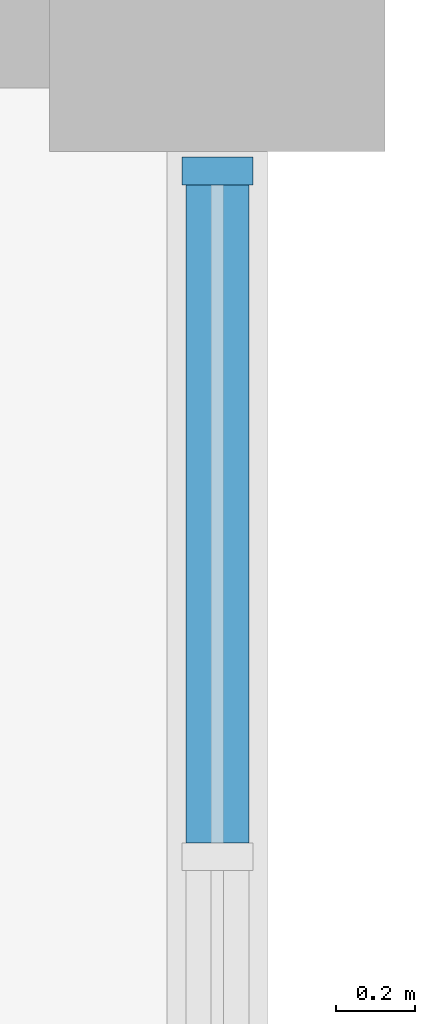
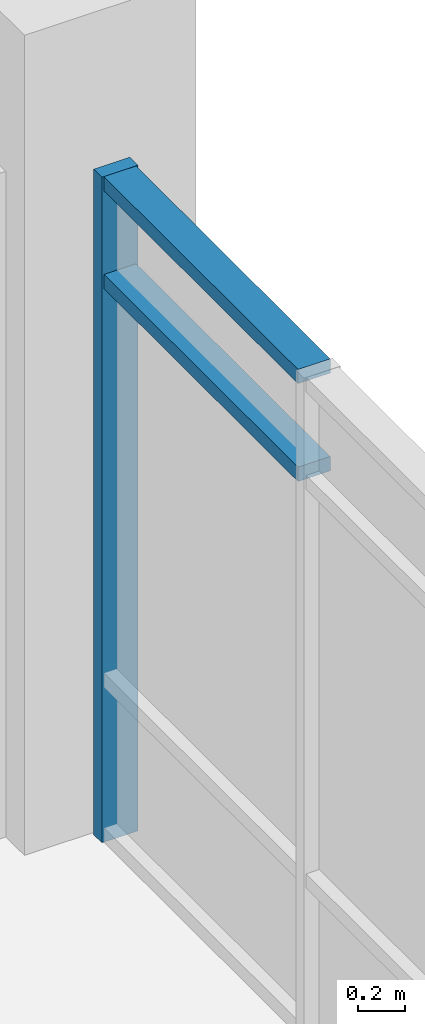
# One storey, part 32 of 86: 3 members, 1 element without a shape of its own.
"""IFC4 building model written with IfcOpenShell, lengths in metres."""

from ifc_helpers import new_model, si_unit, direction, frame, origin, origin_2d, place, context, subcontext, project, spatial, rectangle, extrude, material, material_profile, profile_set, type_object, element, aggregate, save


model = new_model("IFC4")

# Units and contexts
model_context = context("Model", 3, precision=1e-05, world=origin(), true_north=direction((0.0, 1.0)))
body_context = subcontext(model_context, "Body", "Model", "MODEL_VIEW")
ifc_project = project(units=[si_unit("LENGTHUNIT", "METRE"), si_unit("AREAUNIT", "SQUARE_METRE"), si_unit("VOLUMEUNIT", "CUBIC_METRE"), si_unit("PLANEANGLEUNIT", "RADIAN"), si_unit("MASSUNIT", "GRAM", prefix="KILO")], contexts=[model_context])

# Site, building, storey
site_placement = place(None, origin())
site = spatial("IfcSite", under=ifc_project, at=site_placement, CompositionType="ELEMENT")
building_placement = place(site_placement, origin())
building = spatial("IfcBuilding", under=site, at=building_placement, Name="Oolite Switchyard Hospital", CompositionType="ELEMENT")
storey_placement = place(building_placement, frame((0.0, 0.0, 13.5)))
storey = spatial("IfcBuildingStorey", under=building, at=storey_placement, Name="L03", CompositionType="ELEMENT", Elevation=13.5)

# Curtain wall, members
ifc_material_1 = material(Name="Thermally broken aluminum frame with laminated impact glazing", Category="aluminium")
curtain_wall_type = type_object("IfcCurtainWallType", Name="CW-UNIT-84X43", PredefinedType="USERDEFINED", material=ifc_material_1)
curtain_wall_placement = place(storey_placement, origin())
curtain_wall = element("IfcCurtainWall", 1, at=curtain_wall_placement, inside=storey, type_object=curtain_wall_type, Name="L03 Unitised Curtain Wall 349", ObjectType="UNITISED", PredefinedType="USERDEFINED")
ifc_material_2 = material(Name="Aluminium 6063-T6", Category="aluminium")
ifc_material_profile_1 = material_profile(ifc_material_2, rectangle(XDim=0.179931640625, YDim=0.070068359375, at=origin_2d()), Name="CWM70X180")
ifc_profile_set_1 = profile_set([ifc_material_profile_1], Name="Aluminium 6063-T6")
member_type_1 = type_object("IfcMemberType", Name="CW-MUL-220", PredefinedType="MULLION", material=ifc_profile_set_1)
member_1_placement = place(storey_placement, frame((211.199951171875, 66.85009765625, 0.0), z_axis=(0.0, 0.0, 1.0), x_axis=(1.0, 0.0, 0.0)))
member_1 = element("IfcMember", 2, at=member_1_placement, type_object=member_type_1, Name="CW-09 mullion 1", PredefinedType="MULLION", context=body_context, shape_type="SweptSolid", body=[
    extrude(rectangle(XDim=0.179931640625, YDim=0.070068359375, at=origin_2d()), origin(), (0.0, 0.0, 1.0), 3.489990234375),
])
ifc_material_profile_2 = material_profile(ifc_material_2, rectangle(XDim=0.159912109375, YDim=0.074951171875, at=origin_2d()), Name="CWT75X160")
ifc_profile_set_2 = profile_set([ifc_material_profile_2], Name="Aluminium 6063-T6")
member_type_2 = type_object("IfcMemberType", Name="CW-TRN-180", PredefinedType="USERDEFINED", material=ifc_profile_set_2)
member_2_placement = place(storey_placement, frame((211.199951171875, 66.81494140625, 2.93994140625), z_axis=(0.0, -1.0, 0.0), x_axis=(1.0, 0.0, 0.0)))
member_2 = element("IfcMember", 3, at=member_2_placement, type_object=member_type_2, Name="CW-09 transom 1.3", ObjectType="TRANSOM", PredefinedType="USERDEFINED", context=body_context, shape_type="SweptSolid", body=[
    extrude(rectangle(XDim=0.159912109375, YDim=0.074951171875, at=origin_2d()), origin(), (0.0, 0.0, 1.0), 1.66748046875),
])
member_3_placement = place(storey_placement, frame((211.199951171875, 66.81494140625, 3.452392578125), z_axis=(0.0, -1.0, 0.0), x_axis=(1.0, 0.0, 0.0)))
member_3 = element("IfcMember", 4, at=member_3_placement, type_object=member_type_2, Name="CW-09 transom 1.4", ObjectType="TRANSOM", PredefinedType="USERDEFINED", context=body_context, shape_type="SweptSolid", body=[
    extrude(rectangle(XDim=0.159912109375, YDim=0.074951171875, at=origin_2d()), origin(), (0.0, 0.0, 1.0), 1.66748046875),
])
aggregate(curtain_wall, [member_1, member_2, member_3])

save(model, "model.ifc")
